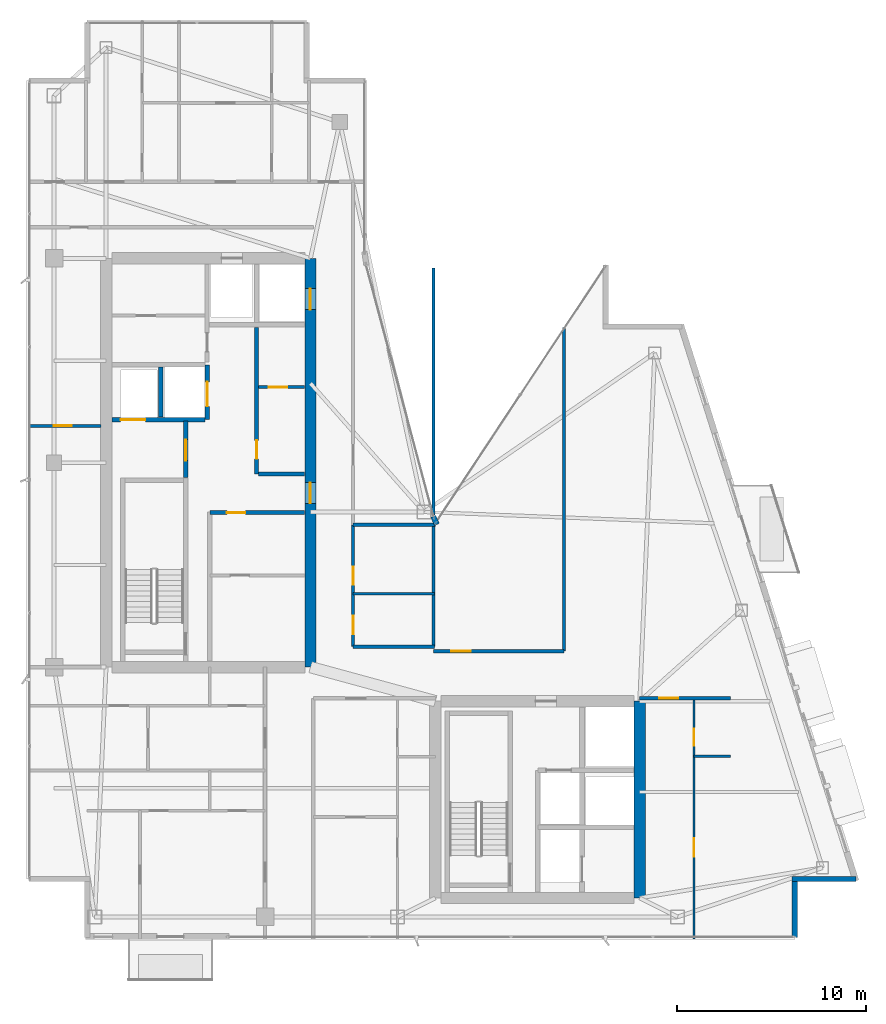
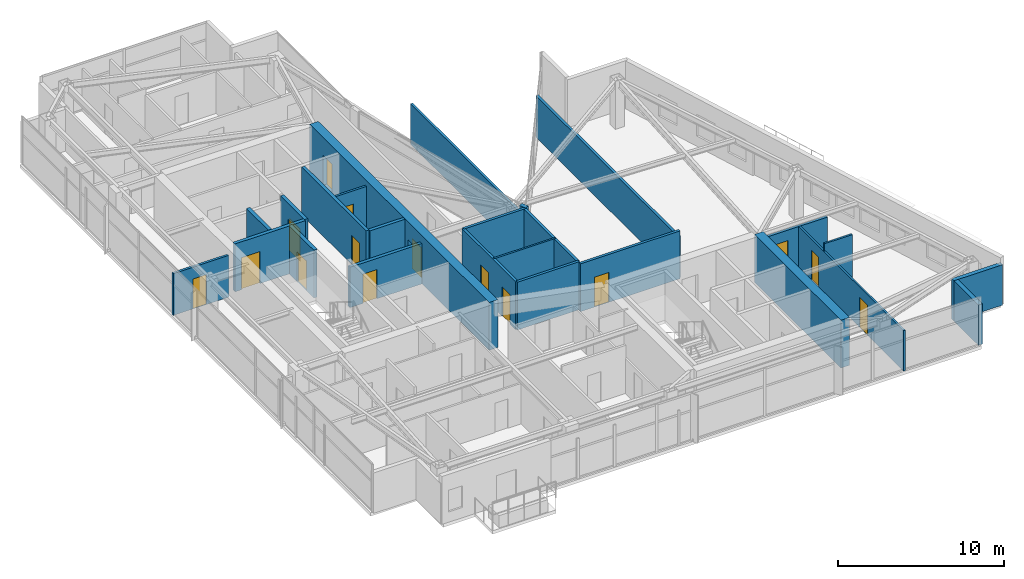
# One storey, part 23 of 27: 25 walls, 15 doors, 15 openings.
"""IFC4 building model written with IfcOpenShell, lengths in metres."""

from ifc_helpers import new_model, si_unit, direction, frame, frame_2d, origin, place, context, subcontext, project, spatial, rectangle, extrude, material, layer, layer_set, type_object, element, fill, save


model = new_model("IFC4")

# Units and contexts
model_context = context("Model", 3, precision=1e-05, world=origin(), true_north=direction((0.0, 1.0)))
body_context = subcontext(model_context, "Body", "Model", "MODEL_VIEW")
ifc_project = project(units=[si_unit("LENGTHUNIT", "METRE"), si_unit("AREAUNIT", "SQUARE_METRE"), si_unit("VOLUMEUNIT", "CUBIC_METRE"), si_unit("PLANEANGLEUNIT", "RADIAN"), si_unit("MASSUNIT", "GRAM", prefix="KILO")], contexts=[model_context])

# Site, building, storey
site_placement = place(None, origin())
site = spatial("IfcSite", under=ifc_project, at=site_placement, CompositionType="ELEMENT")
building_placement = place(site_placement, origin())
building = spatial("IfcBuilding", under=site, at=building_placement, Name="Calvorn Quay Hotel", CompositionType="ELEMENT")
storey_placement = place(building_placement, frame((0.0, 0.0, 278.699951171875)))
storey = spatial("IfcBuildingStorey", under=building, at=storey_placement, Name="L69", CompositionType="ELEMENT", Elevation=278.699951171875)

# Wall, openings, doors
ifc_material_1 = material(Name="Concrete C45", Category="concrete")
ifc_layer_1 = layer(ifc_material_1, 0.60009765625)
ifc_layer_set_1 = layer_set([ifc_layer_1], Name="WL-CORE-600")
wall_type_1 = type_object("IfcWallType", Name="WL-CORE-600", PredefinedType="SHEAR", material=ifc_layer_set_1)
wall_1_placement = place(storey_placement, frame((15.0, 16.800048828125, 0.0), z_axis=(0.0, 0.0, 1.0), x_axis=(0.0, 1.0, 0.0)))
wall_1 = element("IfcWall", 1, at=wall_1_placement, inside=storey, type_object=wall_type_1, Name="West Core Shear Wall E (L69)", PredefinedType="SHEAR", context=body_context, shape_type="SweptSolid", body=[
    extrude(rectangle(XDim=21.599853515625, YDim=0.60009765625, at=frame_2d((10.7998046875, 0.0))), origin(), (0.0, 0.0, 1.0), 3.52001953125),
])
opening_1_placement = place(wall_1_placement, frame((8.64990234375, 0.0, 0.0)))
opening_1 = element("IfcOpeningElement", 2, at=opening_1_placement, cuts=wall_1, Name="Opening D-L69-CW1", PredefinedType="OPENING", context=body_context, shape_type="SweptSolid", body=[
    extrude(rectangle(XDim=1.10009765625, YDim=2.199951171875, at=frame_2d((0.550048828125, 1.10009765625))), frame((0.0, 0.31005859375, 0.0), z_axis=(0.0, -1.0, 0.0), x_axis=(1.0, 0.0, 0.0)), (0.0, 0.0, 1.0), 0.6201171875),
])
opening_2_placement = place(wall_1_placement, frame((18.89990234375, 0.0, 0.0)))
opening_2 = element("IfcOpeningElement", 3, at=opening_2_placement, cuts=wall_1, Name="Opening LD-L69-H1", PredefinedType="OPENING", context=body_context, shape_type="SweptSolid", body=[
    extrude(rectangle(XDim=1.10009765625, YDim=2.199951171875, at=frame_2d((0.550048828125, 1.10009765625))), frame((0.0, 0.31005859375, 0.0), z_axis=(0.0, -1.0, 0.0), x_axis=(1.0, 0.0, 0.0)), (0.0, 0.0, 1.0), 0.6201171875),
])
ifc_material_2 = material(Name="Smoke-Sealed Steel Class A Fire Door", Category="steel")
door_type_1 = type_object("IfcDoorType", Name="DR-FFLOBBY-1100", OperationType="NOTDEFINED", PredefinedType="DOOR", material=ifc_material_2)
door_1_placement = place(opening_1_placement, origin())
door_1 = element("IfcDoor", 4, at=door_1_placement, inside=storey, type_object=door_type_1, Name="West Core Vestibule Fire Door (L69)", OperationType="SINGLE_SWING_RIGHT", OverallHeight=2.199951171875, OverallWidth=1.10009765625, PredefinedType="DOOR", context=body_context, shape_type="SweptSolid", body=[
    extrude(rectangle(XDim=1.10009765625, YDim=2.199951171875, at=frame_2d((0.550048828125, 1.10009765625))), frame((0.0, 0.02490234375, 0.0), z_axis=(0.0, -1.0, 0.0), x_axis=(1.0, 0.0, 0.0)), (0.0, 0.0, 1.0), 0.050048828125),
])
fill(opening_1, door_1)
ifc_material_3 = material(Name="Brushed Stainless Steel Sliding Lift Landing Door", Category="steel")
door_type_2 = type_object("IfcDoorType", Name="DR-LIFT-PASS-1100", OperationType="NOTDEFINED", PredefinedType="DOOR", material=ifc_material_3)
door_2_placement = place(opening_2_placement, origin())
door_2 = element("IfcDoor", 5, at=door_2_placement, inside=storey, type_object=door_type_2, Name="High-Rise Lift PL-H1 Landing Door (L69)", OperationType="DOUBLE_DOOR_SLIDING", OverallHeight=2.199951171875, OverallWidth=1.10009765625, PredefinedType="DOOR", context=body_context, shape_type="SweptSolid", body=[
    extrude(rectangle(XDim=1.10009765625, YDim=2.199951171875, at=frame_2d((0.550048828125, 1.10009765625))), frame((0.0, 0.02490234375, 0.0), z_axis=(0.0, -1.0, 0.0), x_axis=(1.0, 0.0, 0.0)), (0.0, 0.0, 1.0), 0.050048828125),
])
fill(opening_2, door_2)

# Walls
wall_2_placement = place(storey_placement, frame((32.39990234375, 4.60009765625, 0.0), z_axis=(0.0, 0.0, 1.0), x_axis=(0.0, 1.0, 0.0)))
element("IfcWall", 6, at=wall_2_placement, inside=storey, type_object=wall_type_1, Name="East Core Shear Wall E (L69)", PredefinedType="SHEAR", context=body_context, shape_type="SweptSolid", body=[
    extrude(rectangle(XDim=10.39990234375, YDim=0.60009765625, at=frame_2d((5.199951171875, 0.0))), origin(), (0.0, 0.0, 1.0), 3.52001953125),
])
ifc_material_4 = material(Name="Acoustic Fireboard Steel-Stud Partition", Category="steel")
ifc_layer_2 = layer(ifc_material_4, 0.179931640625)
ifc_layer_set_2 = layer_set([ifc_layer_2], Name="WL-CORR-FIRE-180")
wall_type_2 = type_object("IfcWallType", Name="WL-CORR-FIRE-180", PredefinedType="PARTITIONING", material=ifc_layer_set_2)
wall_3_placement = place(storey_placement, frame((17.25, 17.8798828125, 0.0), z_axis=(0.0, 0.0, 1.0), x_axis=(1.0, 0.0, 0.0)))
element("IfcWall", 7, at=wall_3_placement, inside=storey, type_object=wall_type_2, Name="Partition Wall L69-WL-HK-S", PredefinedType="PARTITIONING", context=body_context, shape_type="SweptSolid", body=[
    extrude(rectangle(XDim=4.300048828125, YDim=0.179931640625, at=frame_2d((2.14990234375, 0.0))), origin(), (0.0, 0.0, 1.0), 3.52001953125),
])
wall_4_placement = place(storey_placement, frame((17.25, 24.320068359375, 0.0), z_axis=(0.0, 0.0, 1.0), x_axis=(1.0, 0.0, 0.0)))
element("IfcWall", 8, at=wall_4_placement, inside=storey, type_object=wall_type_2, Name="Partition Wall L69-WL-HK-N", PredefinedType="PARTITIONING", context=body_context, shape_type="SweptSolid", body=[
    extrude(rectangle(XDim=4.35009765625, YDim=0.179931640625, at=frame_2d((2.175048828125, 0.0))), origin(), (0.0, 0.0, 1.0), 3.52001953125),
])
wall_5_placement = place(storey_placement, frame((21.5, 17.8798828125, 0.0), z_axis=(0.0, 0.0, 1.0), x_axis=(0.0, 1.0, 0.0)))
element("IfcWall", 9, at=wall_5_placement, inside=storey, type_object=wall_type_2, Name="Partition Wall L69-WL-HK-E", PredefinedType="PARTITIONING", context=body_context, shape_type="SweptSolid", body=[
    extrude(rectangle(XDim=6.440185546875, YDim=0.179931640625, at=frame_2d((3.22021484375, 0.0))), origin(), (0.0, 0.0, 1.0), 3.52001953125),
])

# Wall, openings, doors
wall_6_placement = place(storey_placement, frame((17.25, 17.8798828125, 0.0), z_axis=(0.0, 0.0, 1.0), x_axis=(0.0, 1.0, 0.0)))
wall_6 = element("IfcWall", 10, at=wall_6_placement, inside=storey, type_object=wall_type_2, Name="Partition Wall L69-WL-HK-W", PredefinedType="PARTITIONING", context=body_context, shape_type="SweptSolid", body=[
    extrude(rectangle(XDim=6.440185546875, YDim=0.179931640625, at=frame_2d((3.22021484375, 0.0))), origin(), (0.0, 0.0, 1.0), 3.52001953125),
])
opening_3_placement = place(wall_6_placement, frame((0.64990234375, 0.0, 0.0)))
opening_3 = element("IfcOpeningElement", 11, at=opening_3_placement, cuts=wall_6, Name="Opening D-L69-HK", PredefinedType="OPENING", context=body_context, shape_type="SweptSolid", body=[
    extrude(rectangle(XDim=0.97998046875, YDim=2.14990234375, at=frame_2d((0.489990234375, 1.074951171875))), frame((0.0, 0.099853515625, 0.0), z_axis=(0.0, -1.0, 0.0), x_axis=(1.0, 0.0, 0.0)), (0.0, 0.0, 1.0), 0.199951171875),
])
opening_4_placement = place(wall_6_placement, frame((3.27001953125, 0.0, 0.0)))
opening_4 = element("IfcOpeningElement", 12, at=opening_4_placement, cuts=wall_6, Name="Opening D-L69-NCP", PredefinedType="OPENING", context=body_context, shape_type="SweptSolid", body=[
    extrude(rectangle(XDim=0.9599609375, YDim=2.199951171875, at=frame_2d((0.47998046875, 1.10009765625))), frame((0.0, 0.099853515625, 0.0), z_axis=(0.0, -1.0, 0.0), x_axis=(1.0, 0.0, 0.0)), (0.0, 0.0, 1.0), 0.199951171875),
])
ifc_material_5 = material(Name="Painted Steel Housekeeping/Riser Fire Door", Category="steel")
door_type_3 = type_object("IfcDoorType", Name="DR-SERVICE-980", OperationType="NOTDEFINED", PredefinedType="DOOR", material=ifc_material_5)
door_3_placement = place(opening_3_placement, origin())
door_3 = element("IfcDoor", 13, at=door_3_placement, inside=storey, type_object=door_type_3, Name="Floor Housekeeping Door (L69)", OperationType="SINGLE_SWING_LEFT", OverallHeight=2.14990234375, OverallWidth=0.97998046875, PredefinedType="DOOR", context=body_context, shape_type="SweptSolid", body=[
    extrude(rectangle(XDim=0.97998046875, YDim=2.14990234375, at=frame_2d((0.489990234375, 1.074951171875))), frame((0.0, 0.02490234375, 0.0), z_axis=(0.0, -1.0, 0.0), x_axis=(1.0, 0.0, 0.0)), (0.0, 0.0, 1.0), 0.050048828125),
])
fill(opening_3, door_3)
ifc_material_6 = material(Name="Solid Timber Internal Suite Door", Category="wood")
door_type_4 = type_object("IfcDoorType", Name="DR-SUITE-INT-960", OperationType="NOTDEFINED", PredefinedType="DOOR", material=ifc_material_6)
door_4_placement = place(opening_4_placement, origin())
door_4 = element("IfcDoor", 14, at=door_4_placement, inside=storey, type_object=door_type_4, Name="Reading Alcove Door (L69)", OperationType="SINGLE_SWING_RIGHT", OverallHeight=2.199951171875, OverallWidth=0.9599609375, PredefinedType="DOOR", context=body_context, shape_type="SweptSolid", body=[
    extrude(rectangle(XDim=0.9599609375, YDim=2.199951171875, at=frame_2d((0.47998046875, 1.10009765625))), frame((0.0, 0.02490234375, 0.0), z_axis=(0.0, -1.0, 0.0), x_axis=(1.0, 0.0, 0.0)), (0.0, 0.0, 1.0), 0.050048828125),
])
fill(opening_4, door_4)

# Wall, opening, door
wall_7_placement = place(storey_placement, frame((32.39990234375, 15.14990234375, 0.0), z_axis=(0.0, 0.0, 1.0), x_axis=(1.0, 0.0, 0.0)))
wall_7 = element("IfcWall", 15, at=wall_7_placement, inside=storey, type_object=wall_type_2, Name="Partition Wall L69-WL-CORR-SE-S", PredefinedType="PARTITIONING", context=body_context, shape_type="SweptSolid", body=[
    extrude(rectangle(XDim=4.800048828125, YDim=0.179931640625, at=frame_2d((2.39990234375, 0.0))), origin(), (0.0, 0.0, 1.0), 2.969970703125),
])
opening_5_placement = place(wall_7_placement, frame((1.030029296875, 0.0, 0.0)))
opening_5 = element("IfcOpeningElement", 16, at=opening_5_placement, cuts=wall_7, Name="Opening D-L69-U06", PredefinedType="OPENING", context=body_context, shape_type="SweptSolid", body=[
    extrude(rectangle(XDim=1.02001953125, YDim=2.199951171875, at=frame_2d((0.510009765625, 1.10009765625))), frame((0.0, 0.099853515625, 0.0), z_axis=(0.0, -1.0, 0.0), x_axis=(1.0, 0.0, 0.0)), (0.0, 0.0, 1.0), 0.199951171875),
])
ifc_material_7 = material(Name="Solid-Core Walnut Veneer Hotel Fire Door")
door_type_5 = type_object("IfcDoorType", Name="DR-GUEST-ENTRY-1020", OperationType="NOTDEFINED", PredefinedType="DOOR", material=ifc_material_7)
door_5_placement = place(opening_5_placement, origin())
door_5 = element("IfcDoor", 17, at=door_5_placement, inside=storey, type_object=door_type_5, Name="South-East Unit Door U06 (L69)", OperationType="SINGLE_SWING_LEFT", OverallHeight=2.199951171875, OverallWidth=1.02001953125, PredefinedType="DOOR", context=body_context, shape_type="SweptSolid", body=[
    extrude(rectangle(XDim=1.02001953125, YDim=2.199951171875, at=frame_2d((0.510009765625, 1.10009765625))), frame((0.0, 0.02490234375, 0.0), z_axis=(0.0, -1.0, 0.0), x_axis=(1.0, 0.0, 0.0)), (0.0, 0.0, 1.0), 0.050048828125),
])
fill(opening_5, door_5)

wall_8_placement = place(storey_placement, frame((21.5, 17.64990234375, 0.0), z_axis=(0.0, 0.0, 1.0), x_axis=(1.0, 0.0, 0.0)))
wall_8 = element("IfcWall", 18, at=wall_8_placement, inside=storey, type_object=wall_type_2, Name="Partition Wall L69-WL-CORR-NE-N", PredefinedType="PARTITIONING", context=body_context, shape_type="SweptSolid", body=[
    extrude(rectangle(XDim=6.89990234375, YDim=0.179931640625, at=frame_2d((3.449951171875, 0.0))), origin(), (0.0, 0.0, 1.0), 3.52001953125),
])
opening_6_placement = place(wall_8_placement, frame((0.949951171875, 0.0, 0.0)))
opening_6 = element("IfcOpeningElement", 19, at=opening_6_placement, cuts=wall_8, Name="Opening D-L69-NS1", PredefinedType="OPENING", context=body_context, shape_type="SweptSolid", body=[
    extrude(rectangle(XDim=1.02001953125, YDim=2.199951171875, at=frame_2d((0.510009765625, 1.10009765625))), frame((0.0, 0.099853515625, 0.0), z_axis=(0.0, -1.0, 0.0), x_axis=(1.0, 0.0, 0.0)), (0.0, 0.0, 1.0), 0.199951171875),
])
door_6_placement = place(opening_6_placement, origin())
door_6 = element("IfcDoor", 20, at=door_6_placement, inside=storey, type_object=door_type_5, Name="Conservatory Salon Door 1 (L69)", OperationType="SINGLE_SWING_RIGHT", OverallHeight=2.199951171875, OverallWidth=1.02001953125, PredefinedType="DOOR", context=body_context, shape_type="SweptSolid", body=[
    extrude(rectangle(XDim=1.02001953125, YDim=2.199951171875, at=frame_2d((0.510009765625, 1.10009765625))), frame((0.0, 0.02490234375, 0.0), z_axis=(0.0, -1.0, 0.0), x_axis=(1.0, 0.0, 0.0)), (0.0, 0.0, 1.0), 0.050048828125),
])
fill(opening_6, door_6)

# Walls
wall_9_placement = place(storey_placement, frame((28.39990234375, 17.64990234375, 0.0), z_axis=(0.0, 0.0, 1.0), x_axis=(0.0, 1.0, 0.0)))
element("IfcWall", 21, at=wall_9_placement, inside=storey, type_object=wall_type_2, Name="Partition Wall L69-WL-NE-END-E", PredefinedType="PARTITIONING", context=body_context, shape_type="SweptSolid", body=[
    extrude(rectangle(XDim=17.110107421875, YDim=0.179931640625, at=frame_2d((8.55517578125, 0.0))), origin(), (0.0, 0.0, 1.0), 3.070068359375),
])
ifc_material_8 = material(Name="Moisture-Resistant Tile-Backed Partition")
ifc_layer_3 = layer(ifc_material_8, 0.125)
ifc_layer_set_3 = layer_set([ifc_layer_3], Name="WL-ENSUITE-125")
wall_type_3 = type_object("IfcWallType", Name="WL-ENSUITE-125", PredefinedType="PARTITIONING", material=ifc_layer_set_3)
wall_10_placement = place(storey_placement, frame((17.25, 20.679931640625, 0.0), z_axis=(0.0, 0.0, 1.0), x_axis=(1.0, 0.0, 0.0)))
element("IfcWall", 22, at=wall_10_placement, inside=storey, type_object=wall_type_3, Name="Partition Wall L69-WL-HK-M", PredefinedType="PARTITIONING", context=body_context, shape_type="SweptSolid", body=[
    extrude(rectangle(XDim=4.300048828125, YDim=0.125, at=frame_2d((2.14990234375, 0.0))), origin(), (0.0, 0.0, 1.0), 3.52001953125),
])
wall_11_placement = place(storey_placement, frame((35.27001953125, 12.10009765625, 0.0), z_axis=(0.0, 0.0, 1.0), x_axis=(1.0, 0.0, 0.0)))
element("IfcWall", 23, at=wall_11_placement, inside=storey, type_object=wall_type_3, Name="Partition Wall L69-WL-U06-BDV", PredefinedType="PARTITIONING", context=body_context, shape_type="SweptSolid", body=[
    extrude(rectangle(XDim=1.929931640625, YDim=0.125, at=frame_2d((0.96484375, 0.0))), origin(), (0.0, 0.0, 1.0), 3.52001953125),
])

# Wall, openings, doors
wall_12_placement = place(storey_placement, frame((35.27001953125, 2.43994140625, 0.0), z_axis=(0.0, 0.0, 1.0), x_axis=(0.0, 1.0, 0.0)))
wall_12 = element("IfcWall", 24, at=wall_12_placement, inside=storey, type_object=wall_type_3, Name="Partition Wall L69-WL-U06-BV", PredefinedType="PARTITIONING", context=body_context, shape_type="SweptSolid", body=[
    extrude(rectangle(XDim=12.7099609375, YDim=0.125, at=frame_2d((6.35498046875, 0.0))), origin(), (0.0, 0.0, 1.0), 2.969970703125),
])
opening_7_placement = place(wall_12_placement, frame((4.35009765625, 0.0, 0.0)))
opening_7 = element("IfcOpeningElement", 25, at=opening_7_placement, cuts=wall_12, Name="Opening D-L69-S06", PredefinedType="OPENING", context=body_context, shape_type="SweptSolid", body=[
    extrude(rectangle(XDim=0.9599609375, YDim=2.199951171875, at=frame_2d((0.47998046875, 1.10009765625))), frame((0.0, 0.072509765625, 0.0), z_axis=(0.0, -1.0, 0.0), x_axis=(1.0, 0.0, 0.0)), (0.0, 0.0, 1.0), 0.14501953125),
])
opening_8_placement = place(wall_12_placement, frame((10.2099609375, 0.0, 0.0)))
opening_8 = element("IfcOpeningElement", 26, at=opening_8_placement, cuts=wall_12, Name="Opening D-L69-E06", PredefinedType="OPENING", context=body_context, shape_type="SweptSolid", body=[
    extrude(rectangle(XDim=0.89990234375, YDim=2.14990234375, at=frame_2d((0.449951171875, 1.074951171875))), frame((0.0, 0.072509765625, 0.0), z_axis=(0.0, -1.0, 0.0), x_axis=(1.0, 0.0, 0.0)), (0.0, 0.0, 1.0), 0.14501953125),
])
ifc_material_9 = material(Name="Moisture-Sealed Timber En-Suite Door", Category="wood")
door_type_6 = type_object("IfcDoorType", Name="DR-ENSUITE-900", OperationType="NOTDEFINED", PredefinedType="DOOR", material=ifc_material_9)
door_7_placement = place(opening_8_placement, origin())
door_7 = element("IfcDoor", 27, at=door_7_placement, inside=storey, type_object=door_type_6, Name="En-Suite Door 06", OperationType="SINGLE_SWING_RIGHT", OverallHeight=2.14990234375, OverallWidth=0.89990234375, PredefinedType="DOOR", context=body_context, shape_type="SweptSolid", body=[
    extrude(rectangle(XDim=0.89990234375, YDim=2.14990234375, at=frame_2d((0.449951171875, 1.074951171875))), frame((0.0, 0.02490234375, 0.0), z_axis=(0.0, -1.0, 0.0), x_axis=(1.0, 0.0, 0.0)), (0.0, 0.0, 1.0), 0.050048828125),
])
fill(opening_8, door_7)
door_8_placement = place(opening_7_placement, origin())
door_8 = element("IfcDoor", 28, at=door_8_placement, inside=storey, type_object=door_type_4, Name="Harbour Tea Room Door 06", OperationType="SINGLE_SWING_LEFT", OverallHeight=2.199951171875, OverallWidth=0.9599609375, PredefinedType="DOOR", context=body_context, shape_type="SweptSolid", body=[
    extrude(rectangle(XDim=0.9599609375, YDim=2.199951171875, at=frame_2d((0.47998046875, 1.10009765625))), frame((0.0, 0.02490234375, 0.0), z_axis=(0.0, -1.0, 0.0), x_axis=(1.0, 0.0, 0.0)), (0.0, 0.0, 1.0), 0.050048828125),
])
fill(opening_7, door_8)

# Walls
ifc_material_10 = material(Name="Concrete C40", Category="concrete")
ifc_layer_4 = layer(ifc_material_10, 0.320068359375)
ifc_layer_set_4 = layer_set([ifc_layer_4], Name="WL-EXT-SPANDREL-320")
wall_type_4 = type_object("IfcWallType", Name="WL-EXT-SPANDREL-320", PredefinedType="SOLIDWALL", material=ifc_layer_set_4)
wall_13_placement = place(storey_placement, frame((21.679931640625, 24.340087890625, 0.0), z_axis=(0.0, 0.0, 1.0), x_axis=(-0.40758134973, 0.913168901875, 0.0)))
element("IfcWall", 29, at=wall_13_placement, inside=storey, type_object=wall_type_4, Name="Inner Court Corner Pier L69-ICJ1", PredefinedType="SOLIDWALL", context=body_context, shape_type="SweptSolid", body=[
    extrude(rectangle(XDim=0.470703125, YDim=0.280029296875, at=frame_2d((0.2353515625, 0.0))), origin(), (0.0, 0.0, 1.0), 3.52001953125),
])
wall_14_placement = place(storey_placement, frame((40.60009765625, 2.52001953125, 0.0), z_axis=(0.0, 0.0, 1.0), x_axis=(0.0, 1.0, 0.0)))
element("IfcWall", 30, at=wall_14_placement, inside=storey, type_object=wall_type_4, Name="Notched Corner Spandrel L69-SE1", PredefinedType="SOLIDWALL", context=body_context, shape_type="SweptSolid", body=[
    extrude(rectangle(XDim=2.93994140625, YDim=0.280029296875, at=frame_2d((1.469970703125, 0.0))), origin(), (0.0, 0.0, 1.0), 2.969970703125),
])
wall_15_placement = place(storey_placement, frame((40.4599609375, 5.60009765625, 0.0), z_axis=(0.0, 0.0, 1.0), x_axis=(1.0, 0.0, 0.0)))
element("IfcWall", 31, at=wall_15_placement, inside=storey, type_object=wall_type_4, Name="Notched Corner Spandrel L69-SE2", PredefinedType="SOLIDWALL", context=body_context, shape_type="SweptSolid", body=[
    extrude(rectangle(XDim=3.380126953125, YDim=0.280029296875, at=frame_2d((1.68994140625, 0.0))), origin(), (0.0, 0.0, 1.0), 2.969970703125),
])

# Wall, opening, door
ifc_material_11 = material(Name="Double-Stud Acoustic Gypsum Partition")
ifc_layer_5 = layer(ifc_material_11, 0.159912109375)
ifc_layer_set_5 = layer_set([ifc_layer_5], Name="WL-INTERSUITE-160")
wall_type_5 = type_object("IfcWallType", Name="WL-INTERSUITE-160", PredefinedType="PARTITIONING", material=ifc_layer_set_5)
wall_16_placement = place(storey_placement, frame((12.25, 31.60009765625, 0.0), z_axis=(0.0, 0.0, 1.0), x_axis=(1.0, 0.0, 0.0)))
wall_16 = element("IfcWall", 32, at=wall_16_placement, inside=storey, type_object=wall_type_5, Name="Partition Wall L69-WL-CWW-FM-SPLIT", PredefinedType="PARTITIONING", context=body_context, shape_type="SweptSolid", body=[
    extrude(rectangle(XDim=2.429931640625, YDim=0.159912109375, at=frame_2d((1.21484375, 0.0))), origin(), (0.0, 0.0, 1.0), 3.1201171875),
])
opening_9_placement = place(wall_16_placement, frame((0.550048828125, 0.0, 0.0)))
opening_9 = element("IfcOpeningElement", 33, at=opening_9_placement, cuts=wall_16, Name="Opening D-L69-FM2", PredefinedType="OPENING", context=body_context, shape_type="SweptSolid", body=[
    extrude(rectangle(XDim=0.97998046875, YDim=2.14990234375, at=frame_2d((0.489990234375, 1.074951171875))), frame((0.0, 0.08984375, 0.0), z_axis=(0.0, -1.0, 0.0), x_axis=(1.0, 0.0, 0.0)), (0.0, 0.0, 1.0), 0.179931640625),
])
door_9_placement = place(opening_9_placement, origin())
door_9 = element("IfcDoor", 34, at=door_9_placement, inside=storey, type_object=door_type_3, Name="Comms Room Door (L69)", OperationType="SINGLE_SWING_LEFT", OverallHeight=2.14990234375, OverallWidth=0.97998046875, PredefinedType="DOOR", context=body_context, shape_type="SweptSolid", body=[
    extrude(rectangle(XDim=0.97998046875, YDim=2.14990234375, at=frame_2d((0.489990234375, 1.074951171875))), frame((0.0, 0.02490234375, 0.0), z_axis=(0.0, -1.0, 0.0), x_axis=(1.0, 0.0, 0.0)), (0.0, 0.0, 1.0), 0.050048828125),
])
fill(opening_9, door_9)

wall_17_placement = place(storey_placement, frame((0.080078125, 29.550048828125, 0.0), z_axis=(0.0, 0.0, 1.0), x_axis=(1.0, 0.0, 0.0)))
wall_17 = element("IfcWall", 35, at=wall_17_placement, inside=storey, type_object=wall_type_5, Name="Partition Wall L69-WL-WBAY-DIV", PredefinedType="PARTITIONING", context=body_context, shape_type="SweptSolid", body=[
    extrude(rectangle(XDim=3.849853515625, YDim=0.159912109375, at=frame_2d((1.9248046875, 0.0))), origin(), (0.0, 0.0, 1.0), 3.070068359375),
])
opening_10_placement = place(wall_17_placement, frame((1.35009765625, 0.0, 0.0)))
opening_10 = element("IfcOpeningElement", 36, at=opening_10_placement, cuts=wall_17, Name="Opening D-L69-WBD", PredefinedType="OPENING", context=body_context, shape_type="SweptSolid", body=[
    extrude(rectangle(XDim=0.9599609375, YDim=2.199951171875, at=frame_2d((0.47998046875, 1.10009765625))), frame((0.0, 0.08984375, 0.0), z_axis=(0.0, -1.0, 0.0), x_axis=(1.0, 0.0, 0.0)), (0.0, 0.0, 1.0), 0.179931640625),
])
door_10_placement = place(opening_10_placement, origin())
door_10 = element("IfcDoor", 37, at=door_10_placement, inside=storey, type_object=door_type_4, Name="West Bay Connecting Door (L69)", OperationType="SINGLE_SWING_LEFT", OverallHeight=2.199951171875, OverallWidth=0.9599609375, PredefinedType="DOOR", context=body_context, shape_type="SweptSolid", body=[
    extrude(rectangle(XDim=0.9599609375, YDim=2.199951171875, at=frame_2d((0.47998046875, 1.10009765625))), frame((0.0, 0.02490234375, 0.0), z_axis=(0.0, -1.0, 0.0), x_axis=(1.0, 0.0, 0.0)), (0.0, 0.0, 1.0), 0.050048828125),
])
fill(opening_10, door_10)

# Wall
wall_18_placement = place(storey_placement, frame((21.5, 24.85009765625, 0.0), z_axis=(0.0, 0.0, 1.0), x_axis=(0.0, 1.0, 0.0)))
element("IfcWall", 38, at=wall_18_placement, inside=storey, type_object=wall_type_5, Name="Partition Wall L69-WL-NC-UPPER-E", PredefinedType="PARTITIONING", context=body_context, shape_type="SweptSolid", body=[
    extrude(rectangle(XDim=13.0498046875, YDim=0.159912109375, at=frame_2d((6.52490234375, 0.0))), origin(), (0.0, 0.0, 1.0), 2.969970703125),
])

# Wall, opening, door
ifc_material_12 = material(Name="Autoclaved Aerated Masonry Block", Category="masonry")
ifc_layer_6 = layer(ifc_material_12, 0.219970703125)
ifc_layer_set_6 = layer_set([ifc_layer_6], Name="WL-LOBBY-FIRE-220")
wall_type_6 = type_object("IfcWallType", Name="WL-LOBBY-FIRE-220", PredefinedType="SOLIDWALL", material=ifc_layer_set_6)
wall_19_placement = place(storey_placement, frame((9.679931640625, 24.969970703125, 0.0), z_axis=(0.0, 0.0, 1.0), x_axis=(1.0, 0.0, 0.0)))
wall_19 = element("IfcWall", 39, at=wall_19_placement, inside=storey, type_object=wall_type_6, Name="Partition Wall L69-WL-CWW-FR-N", PredefinedType="SOLIDWALL", context=body_context, shape_type="SweptSolid", body=[
    extrude(rectangle(XDim=5.0, YDim=0.219970703125, at=frame_2d((2.5, 0.0))), origin(), (0.0, 0.0, 1.0), 2.969970703125),
])
opening_11_placement = place(wall_19_placement, frame((0.89990234375, 0.0, 0.0)))
opening_11 = element("IfcOpeningElement", 40, at=opening_11_placement, cuts=wall_19, Name="Opening D-L69-FRL2", PredefinedType="OPENING", context=body_context, shape_type="SweptSolid", body=[
    extrude(rectangle(XDim=0.97998046875, YDim=2.14990234375, at=frame_2d((0.489990234375, 1.074951171875))), frame((0.0, 0.119873046875, 0.0), z_axis=(0.0, -1.0, 0.0), x_axis=(1.0, 0.0, 0.0)), (0.0, 0.0, 1.0), 0.239990234375),
])
door_11_placement = place(opening_11_placement, origin())
door_11 = element("IfcDoor", 41, at=door_11_placement, inside=storey, type_object=door_type_3, Name="Beverage Pantry Door (L69)", OperationType="SINGLE_SWING_RIGHT", OverallHeight=2.14990234375, OverallWidth=0.97998046875, PredefinedType="DOOR", context=body_context, shape_type="SweptSolid", body=[
    extrude(rectangle(XDim=0.97998046875, YDim=2.14990234375, at=frame_2d((0.489990234375, 1.074951171875))), frame((0.0, 0.02490234375, 0.0), z_axis=(0.0, -1.0, 0.0), x_axis=(1.0, 0.0, 0.0)), (0.0, 0.0, 1.0), 0.050048828125),
])
fill(opening_11, door_11)

# Wall
wall_20_placement = place(storey_placement, frame((12.25, 27.0, 0.0), z_axis=(0.0, 0.0, 1.0), x_axis=(1.0, 0.0, 0.0)))
element("IfcWall", 42, at=wall_20_placement, inside=storey, type_object=wall_type_6, Name="Partition Wall L69-WL-CWW-FM-S", PredefinedType="SOLIDWALL", context=body_context, shape_type="SweptSolid", body=[
    extrude(rectangle(XDim=2.429931640625, YDim=0.219970703125, at=frame_2d((1.21484375, 0.0))), origin(), (0.0, 0.0, 1.0), 3.52001953125),
])

# Wall, opening, door
wall_21_placement = place(storey_placement, frame((12.14990234375, 27.0, 0.0), z_axis=(0.0, 0.0, 1.0), x_axis=(0.0, 1.0, 0.0)))
wall_21 = element("IfcWall", 43, at=wall_21_placement, inside=storey, type_object=wall_type_6, Name="Partition Wall L69-WL-CWW-FM-W", PredefinedType="SOLIDWALL", context=body_context, shape_type="SweptSolid", body=[
    extrude(rectangle(XDim=7.75, YDim=0.219970703125, at=frame_2d((3.875, 0.0))), origin(), (0.0, 0.0, 1.0), 3.52001953125),
])
opening_12_placement = place(wall_21_placement, frame((0.800048828125, 0.0, 0.0)))
opening_12 = element("IfcOpeningElement", 44, at=opening_12_placement, cuts=wall_21, Name="Opening D-L69-FM1", PredefinedType="OPENING", context=body_context, shape_type="SweptSolid", body=[
    extrude(rectangle(XDim=0.97998046875, YDim=2.14990234375, at=frame_2d((0.489990234375, 1.074951171875))), frame((0.0, 0.119873046875, 0.0), z_axis=(0.0, -1.0, 0.0), x_axis=(1.0, 0.0, 0.0)), (0.0, 0.0, 1.0), 0.239990234375),
])
door_12_placement = place(opening_12_placement, origin())
door_12 = element("IfcDoor", 45, at=door_12_placement, inside=storey, type_object=door_type_3, Name="Butler Pantry Door (L69)", OperationType="SINGLE_SWING_RIGHT", OverallHeight=2.14990234375, OverallWidth=0.97998046875, PredefinedType="DOOR", context=body_context, shape_type="SweptSolid", body=[
    extrude(rectangle(XDim=0.97998046875, YDim=2.14990234375, at=frame_2d((0.489990234375, 1.074951171875))), frame((0.0, 0.02490234375, 0.0), z_axis=(0.0, -1.0, 0.0), x_axis=(1.0, 0.0, 0.0)), (0.0, 0.0, 1.0), 0.050048828125),
])
fill(opening_12, door_12)

ifc_material_13 = material(Name="Concrete C40", Category="concrete")
ifc_layer_7 = layer(ifc_material_13, 0.239990234375)
ifc_layer_set_7 = layer_set([ifc_layer_7], Name="WL-SHAFT-240")
wall_type_7 = type_object("IfcWallType", Name="WL-SHAFT-240", PredefinedType="SOLIDWALL", material=ifc_layer_set_7)
wall_22_placement = place(storey_placement, frame((8.419921875, 26.820068359375, 0.0), z_axis=(0.0, 0.0, 1.0), x_axis=(0.0, 1.0, 0.0)))
wall_22 = element("IfcWall", 46, at=wall_22_placement, inside=storey, type_object=wall_type_7, Name="Partition Wall L69-WL-CWW-FFL-E", PredefinedType="SOLIDWALL", context=body_context, shape_type="SweptSolid", body=[
    extrude(rectangle(XDim=3.0, YDim=0.239990234375, at=frame_2d((1.5, 0.0))), origin(), (0.0, 0.0, 1.0), 3.52001953125),
])
opening_13_placement = place(wall_22_placement, frame((0.89990234375, 0.0, 0.0)))
opening_13 = element("IfcOpeningElement", 47, at=opening_13_placement, cuts=wall_22, Name="Opening D-L69-FLW", PredefinedType="OPENING", context=body_context, shape_type="SweptSolid", body=[
    extrude(rectangle(XDim=1.10009765625, YDim=2.199951171875, at=frame_2d((0.550048828125, 1.10009765625))), frame((0.0, 0.1298828125, 0.0), z_axis=(0.0, -1.0, 0.0), x_axis=(1.0, 0.0, 0.0)), (0.0, 0.0, 1.0), 0.260009765625),
])
door_13_placement = place(opening_13_placement, origin())
door_13 = element("IfcDoor", 48, at=door_13_placement, inside=storey, type_object=door_type_1, Name="West Firefighting Lobby Fire Door (L69)", OperationType="SINGLE_SWING_RIGHT", OverallHeight=2.199951171875, OverallWidth=1.10009765625, PredefinedType="DOOR", context=body_context, shape_type="SweptSolid", body=[
    extrude(rectangle(XDim=1.10009765625, YDim=2.199951171875, at=frame_2d((0.550048828125, 1.10009765625))), frame((0.0, 0.02490234375, 0.0), z_axis=(0.0, -1.0, 0.0), x_axis=(1.0, 0.0, 0.0)), (0.0, 0.0, 1.0), 0.050048828125),
])
fill(opening_13, door_13)

wall_23_placement = place(storey_placement, frame((4.52001953125, 29.8798828125, 0.0), z_axis=(0.0, 0.0, 1.0), x_axis=(1.0, 0.0, 0.0)))
wall_23 = element("IfcWall", 49, at=wall_23_placement, inside=storey, type_object=wall_type_7, Name="Partition Wall L69-WL-CWW-FLW-S", PredefinedType="SOLIDWALL", context=body_context, shape_type="SweptSolid", body=[
    extrude(rectangle(XDim=4.89990234375, YDim=0.239990234375, at=frame_2d((2.449951171875, 0.0))), origin(), (0.0, 0.0, 1.0), 3.52001953125),
])
opening_14_placement = place(wall_23_placement, frame((0.449951171875, 0.0, 0.0)))
opening_14 = element("IfcOpeningElement", 50, at=opening_14_placement, cuts=wall_23, Name="Opening LD-L69-FLW1", PredefinedType="OPENING", context=body_context, shape_type="SweptSolid", body=[
    extrude(rectangle(XDim=1.300048828125, YDim=2.35009765625, at=frame_2d((0.64990234375, 1.175048828125))), frame((0.0, 0.1298828125, 0.0), z_axis=(0.0, -1.0, 0.0), x_axis=(1.0, 0.0, 0.0)), (0.0, 0.0, 1.0), 0.260009765625),
])
ifc_material_14 = material(Name="Champagne-Bronze Sliding Express Lift Landing Door")
door_type_7 = type_object("IfcDoorType", Name="DR-LIFT-SHUTTLE-1300", OperationType="NOTDEFINED", PredefinedType="DOOR", material=ifc_material_14)
door_14_placement = place(opening_14_placement, origin())
door_14 = element("IfcDoor", 51, at=door_14_placement, inside=storey, type_object=door_type_7, Name="Firefighting Lift FL-W1 Landing Door (L69)", OperationType="DOUBLE_DOOR_SLIDING", OverallHeight=2.35009765625, OverallWidth=1.300048828125, PredefinedType="DOOR", context=body_context, shape_type="SweptSolid", body=[
    extrude(rectangle(XDim=1.300048828125, YDim=2.35009765625, at=frame_2d((0.64990234375, 1.175048828125))), frame((0.0, 0.02490234375, 0.0), z_axis=(0.0, -1.0, 0.0), x_axis=(1.0, 0.0, 0.0)), (0.0, 0.0, 1.0), 0.050048828125),
])
fill(opening_14, door_14)

# Wall
wall_24_placement = place(storey_placement, frame((7.10009765625, 30.02001953125, 0.0), z_axis=(0.0, 0.0, 1.0), x_axis=(0.0, 1.0, 0.0)))
element("IfcWall", 52, at=wall_24_placement, inside=storey, type_object=wall_type_7, Name="Partition Wall L69-WL-CWW-FLW-DIV", PredefinedType="SOLIDWALL", context=body_context, shape_type="SweptSolid", body=[
    extrude(rectangle(XDim=2.6298828125, YDim=0.239990234375, at=frame_2d((1.31494140625, 0.0))), origin(), (0.0, 0.0, 1.0), 3.52001953125),
])

# Wall, opening, door
wall_25_placement = place(storey_placement, frame((9.5400390625, 29.8798828125, 0.0), z_axis=(0.0, 0.0, 1.0), x_axis=(0.0, 1.0, 0.0)))
wall_25 = element("IfcWall", 53, at=wall_25_placement, inside=storey, type_object=wall_type_7, Name="Partition Wall L69-WL-CWW-SLW-E", PredefinedType="SOLIDWALL", context=body_context, shape_type="SweptSolid", body=[
    extrude(rectangle(XDim=2.900146484375, YDim=0.239990234375, at=frame_2d((1.4501953125, 0.0))), origin(), (0.0, 0.0, 1.0), 3.52001953125),
])
opening_15_placement = place(wall_25_placement, frame((0.699951171875, 0.0, 0.0)))
opening_15 = element("IfcOpeningElement", 54, at=opening_15_placement, cuts=wall_25, Name="Opening LD-L69-SLW1", PredefinedType="OPENING", context=body_context, shape_type="SweptSolid", body=[
    extrude(rectangle(XDim=1.300048828125, YDim=2.35009765625, at=frame_2d((0.64990234375, 1.175048828125))), frame((0.0, 0.1298828125, 0.0), z_axis=(0.0, -1.0, 0.0), x_axis=(1.0, 0.0, 0.0)), (0.0, 0.0, 1.0), 0.260009765625),
])
door_15_placement = place(opening_15_placement, origin())
door_15 = element("IfcDoor", 55, at=door_15_placement, inside=storey, type_object=door_type_7, Name="Service Lift SL-W1 Landing Door (L69)", OperationType="DOUBLE_DOOR_SLIDING", OverallHeight=2.35009765625, OverallWidth=1.300048828125, PredefinedType="DOOR", context=body_context, shape_type="SweptSolid", body=[
    extrude(rectangle(XDim=1.300048828125, YDim=2.35009765625, at=frame_2d((0.64990234375, 1.175048828125))), frame((0.0, 0.02490234375, 0.0), z_axis=(0.0, -1.0, 0.0), x_axis=(1.0, 0.0, 0.0)), (0.0, 0.0, 1.0), 0.050048828125),
])
fill(opening_15, door_15)

save(model, "model.ifc")
